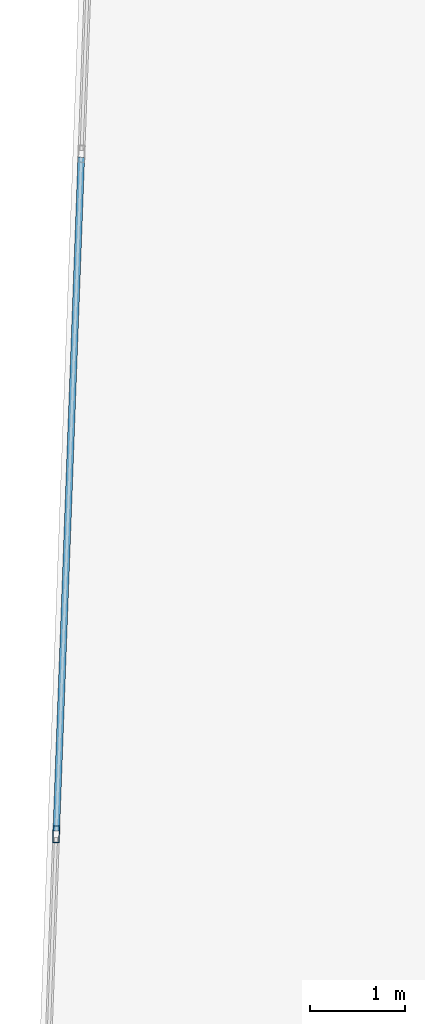
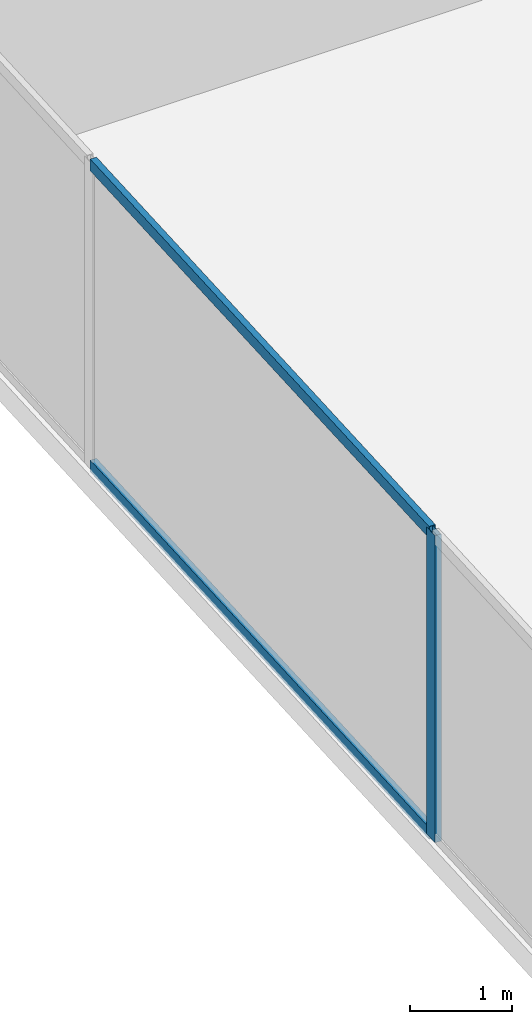
# One storey, part 4 of 30: 3 members, 1 element without a shape of its own.
"""IFC4 building model written with IfcOpenShell, lengths in metres."""

from ifc_helpers import new_model, si_unit, direction, frame, origin, origin_2d, place, context, subcontext, project, spatial, hollow_rectangle, extrude, source, transform, mapped, material, material_profile, profile_set, type_object, type_shapes, element, aggregate, save


model = new_model("IFC4")

# Units and contexts
model_context = context("Model", 3, precision=1e-05, world=origin(), true_north=direction((0.0, 1.0)))
body_context = subcontext(model_context, "Body", "Model", "MODEL_VIEW")
ifc_project = project(units=[si_unit("LENGTHUNIT", "METRE"), si_unit("AREAUNIT", "SQUARE_METRE"), si_unit("VOLUMEUNIT", "CUBIC_METRE"), si_unit("PLANEANGLEUNIT", "RADIAN"), si_unit("MASSUNIT", "GRAM", prefix="KILO")], contexts=[model_context])

# Site, building, storey
site_placement = place(None, origin())
site = spatial("IfcSite", under=ifc_project, at=site_placement, CompositionType="ELEMENT")
building_placement = place(site_placement, origin())
building = spatial("IfcBuilding", under=site, at=building_placement, Name="Krantzveldt Concourse Tower", CompositionType="ELEMENT")
storey_placement = place(building_placement, frame((0.0, 0.0, 40.800048828125)))
storey = spatial("IfcBuildingStorey", under=building, at=storey_placement, Name="L09", CompositionType="ELEMENT", Elevation=40.800048828125)

# Curtain wall, members
ifc_material = material(Name="Anodised aluminium 6063-T6", Category="aluminium")
curtain_wall_type = type_object("IfcCurtainWallType", Name="CW2", PredefinedType="USERDEFINED", material=ifc_material)
curtain_wall_placement = place(storey_placement, origin())
curtain_wall = element("IfcCurtainWall", 1, at=curtain_wall_placement, inside=storey, type_object=curtain_wall_type, Name="CW-L09-F01", ObjectType="UNITISED CURTAIN WALL", PredefinedType="USERDEFINED")
ifc_material_profile_1 = material_profile(ifc_material, hollow_rectangle(XDim=0.070068359375, YDim=0.179931640625, WallThickness=0.0048828125, at=origin_2d()), Name="Anodised aluminium 6063-T6", Category="aluminium")
ifc_profile_set_1 = profile_set([ifc_material_profile_1], Name="Anodised aluminium 6063-T6 - ALU-MULL 180x70x5")
member_type_1 = type_object("IfcMemberType", Name="CW-MUL-180", PredefinedType="MULLION", material=ifc_profile_set_1)
shared_shape_1 = source(origin(), body_context, "Body", "SweptSolid", [
    extrude(hollow_rectangle(XDim=0.070068359375, YDim=0.179931640625, WallThickness=0.0048828125, at=origin_2d()), origin(), (0.0, 0.0, 1.0), 3.669921875),
])
type_shapes(member_type_1, [shared_shape_1])
member_1_placement = place(storey_placement, frame((10.57568359375, 13.30029296875, 0.0), z_axis=(0.0, 0.0, 1.0), x_axis=(0.999312308986, -0.037079766834, 0.0)))
member_1 = element("IfcMember", 2, at=member_1_placement, type_object=member_type_1, Name="CW-Z12 mullion 6", PredefinedType="MULLION", context=body_context, shape_type="MappedRepresentation", body=[
    mapped(shared_shape_1, transform((0.0, 0.0, 0.0), x_axis=(1.0, 0.0, 0.0), y_axis=(0.0, 1.0, 0.0), z_axis=(0.0, 0.0, 1.0), scale=1.0)),
])
ifc_material_profile_2 = material_profile(ifc_material, hollow_rectangle(XDim=0.070068359375, YDim=0.139892578125, WallThickness=0.0048828125, at=origin_2d()), Name="Anodised aluminium 6063-T6", Category="aluminium")
ifc_profile_set_2 = profile_set([ifc_material_profile_2], Name="Anodised aluminium 6063-T6 - ALU-TRAN 140x70x5")
member_type_2 = type_object("IfcMemberType", Name="CW-TRN-150", PredefinedType="USERDEFINED", material=ifc_profile_set_2)
shared_shape_2 = source(origin(), body_context, "Body", "SweptSolid", [
    extrude(hollow_rectangle(XDim=0.070068359375, YDim=0.139892578125, WallThickness=0.0048828125, at=origin_2d()), origin(), (0.0, 0.0, 1.0), 7.0966796875),
])
type_shapes(member_type_2, [shared_shape_2])
member_2_placement = place(storey_placement, frame((10.840087890625, 20.427001953125, 0.034912109375), z_axis=(-0.037085459975, -0.999312097724, 0.0), x_axis=(0.999312097724, -0.037085459975, 0.0)))
member_2 = element("IfcMember", 3, at=member_2_placement, type_object=member_type_2, Name="CW-Z12 transom 5.1", ObjectType="TRANSOM", PredefinedType="USERDEFINED", context=body_context, shape_type="MappedRepresentation", body=[
    mapped(shared_shape_2, transform((0.0, 0.0, 0.0), x_axis=(1.0, 0.0, 0.0), y_axis=(0.0, 1.0, 0.0), z_axis=(0.0, 0.0, 1.0), scale=1.0)),
])
member_3_placement = place(storey_placement, frame((10.840087890625, 20.427001953125, 3.635009765625), z_axis=(-0.037085459975, -0.999312097724, 0.0), x_axis=(0.999312097724, -0.037085459975, 0.0)))
member_3 = element("IfcMember", 4, at=member_3_placement, type_object=member_type_2, Name="CW-Z12 transom 5.2", ObjectType="TRANSOM", PredefinedType="USERDEFINED", context=body_context, shape_type="MappedRepresentation", body=[
    mapped(shared_shape_2, transform((0.0, 0.0, 0.0), x_axis=(1.0, 0.0, 0.0), y_axis=(0.0, 1.0, 0.0), z_axis=(0.0, 0.0, 1.0), scale=1.0)),
])
aggregate(curtain_wall, [member_1, member_2, member_3])

save(model, "model.ifc")
